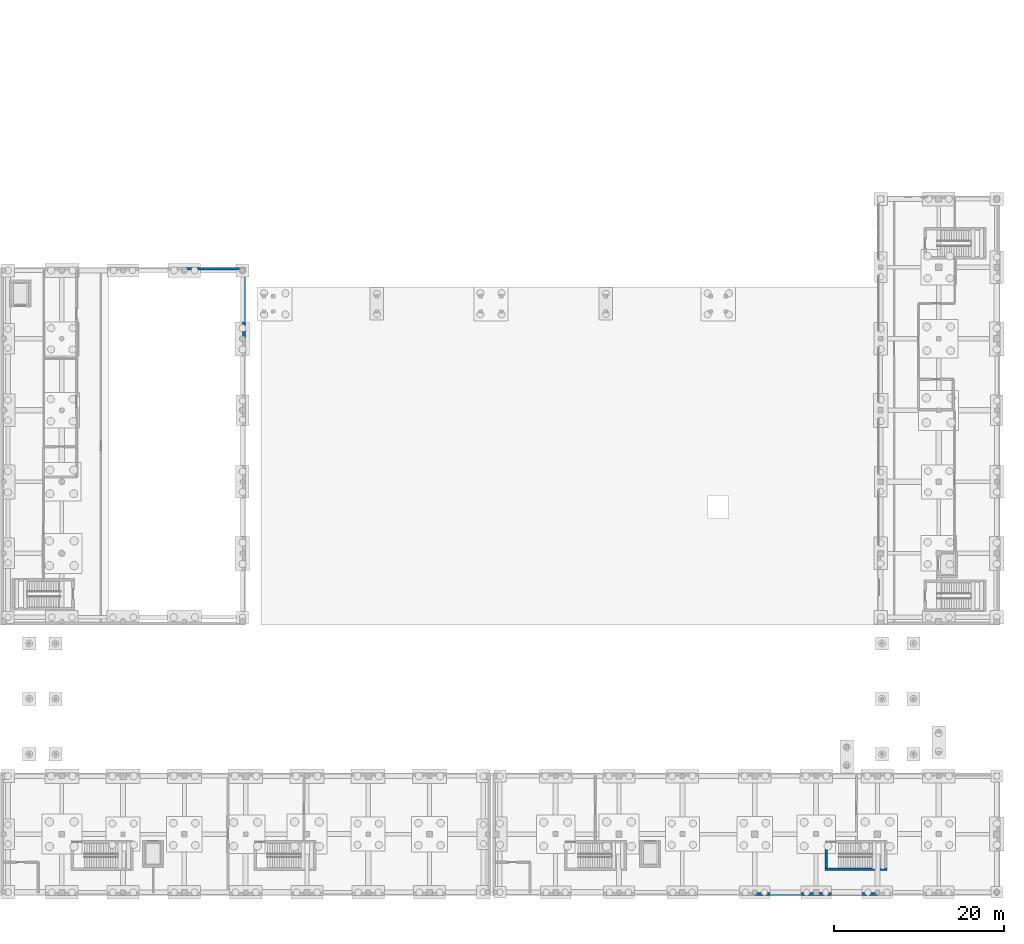
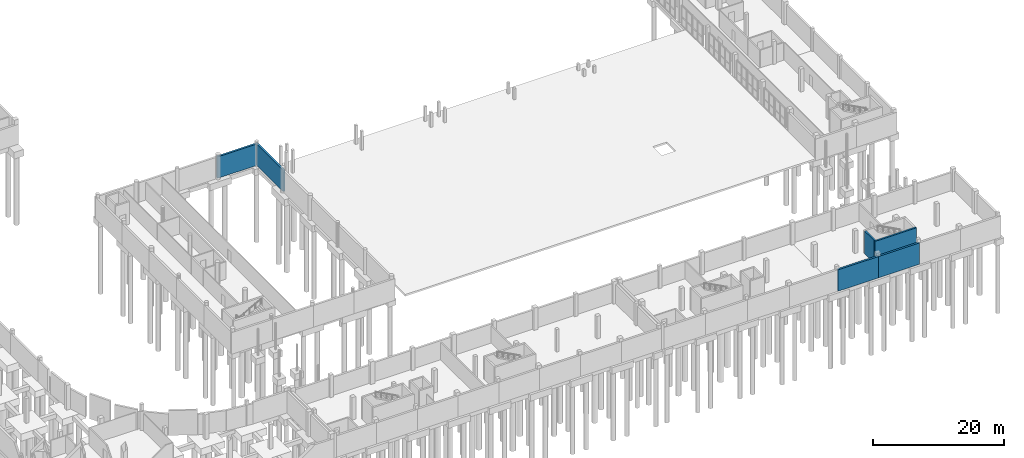
# One storey, part 30 of 41: 6 walls.
"""IFC4 building model written with IfcOpenShell, lengths in metres."""

from ifc_helpers import new_model, si_unit, direction, frame, frame_2d, origin, place, context, subcontext, project, spatial, rectangle, extrude, material, layer, layer_set, type_object, element, save


model = new_model("IFC4")

# Units and contexts
model_context = context("Model", 3, precision=1e-05, world=origin(), true_north=direction((0.0, 1.0)))
body_context = subcontext(model_context, "Body", "Model", "MODEL_VIEW")
ifc_project = project(units=[si_unit("LENGTHUNIT", "METRE"), si_unit("AREAUNIT", "SQUARE_METRE"), si_unit("VOLUMEUNIT", "CUBIC_METRE"), si_unit("PLANEANGLEUNIT", "RADIAN"), si_unit("MASSUNIT", "GRAM", prefix="KILO")], contexts=[model_context])

# Site, building, storey
site_placement = place(None, origin())
site = spatial("IfcSite", under=ifc_project, at=site_placement, CompositionType="ELEMENT")
building_placement = place(site_placement, origin())
building = spatial("IfcBuilding", under=site, at=building_placement, Name="Vardoun Plaza Health Centre", CompositionType="ELEMENT")
storey_placement = place(building_placement, frame((0.0, 0.0, -4.5)))
storey = spatial("IfcBuildingStorey", under=building, at=storey_placement, Name="B1", CompositionType="ELEMENT", Elevation=-4.5)

# Walls
ifc_material_1 = material(Name="Concrete C40/50", Category="concrete")
ifc_layer_1 = layer(ifc_material_1, 0.300048828125)
ifc_layer_set_1 = layer_set([ifc_layer_1], Name="Concrete C40/50")
wall_type_1 = type_object("IfcWallType", Name="SW-01", PredefinedType="SHEAR", material=ifc_layer_set_1)
wall_1_placement = place(storey_placement, frame((152.050048828125, 7.60009765625, 0.0), z_axis=(0.0, 0.0, 1.0), x_axis=(-1.0, 0.0, 0.0)))
element("IfcWall", 1, at=wall_1_placement, inside=storey, type_object=wall_type_1, Name="Core C9 B1 Shear Wall S", PredefinedType="SHEAR", context=body_context, shape_type="SweptSolid", body=[
    extrude(rectangle(XDim=7.300048828125, YDim=0.300048828125, at=frame_2d((3.64990234375, 0.0))), origin(), (0.0, 0.0, 1.0), 4.205078125),
])
wall_2_placement = place(storey_placement, frame((144.89990234375, 7.75, 0.0), z_axis=(0.0, 0.0, 1.0), x_axis=(0.0, 1.0, 0.0)))
element("IfcWall", 2, at=wall_2_placement, inside=storey, type_object=wall_type_1, Name="Core C9 B1 Shear Wall W", PredefinedType="SHEAR", context=body_context, shape_type="SweptSolid", body=[
    extrude(rectangle(XDim=2.89990234375, YDim=0.300048828125, at=frame_2d((1.449951171875, 0.0))), origin(), (0.0, 0.0, 1.0), 4.205078125),
])
ifc_material_2 = material(Name="Pale Limestone Concrete C35/45", Category="masonry")
ifc_layer_2 = layer(ifc_material_2, 0.344970703125)
ifc_layer_set_2 = layer_set([ifc_layer_2], Name="Pale Limestone Concrete C35/45")
wall_type_2 = type_object("IfcWallType", Name="EW-01", PredefinedType="SOLIDWALL", material=ifc_layer_set_2)
wall_3_placement = place(storey_placement, frame((69.47998046875, 78.12744140625, -0.419921875), z_axis=(0.0, 0.0, 1.0), x_axis=(1.0, 0.0, 0.0)))
element("IfcWall", 3, at=wall_3_placement, inside=storey, type_object=wall_type_2, Name="V1 B1 Exterior Wall EW-V1-004", PredefinedType="SOLIDWALL", context=body_context, shape_type="SweptSolid", body=[
    extrude(rectangle(XDim=7.199951171875, YDim=0.344970703125, at=frame_2d((3.60009765625, 0.0))), origin(), (0.0, 0.0, 1.0), 4.0048828125),
])
wall_4_placement = place(storey_placement, frame((76.507568359375, 77.955078125, -0.419921875), z_axis=(0.0, 0.0, 1.0), x_axis=(0.0, -1.0, 0.0)))
element("IfcWall", 4, at=wall_4_placement, inside=storey, type_object=wall_type_2, Name="V1 B1 Exterior Wall EW-V1-005", PredefinedType="SOLIDWALL", context=body_context, shape_type="SweptSolid", body=[
    extrude(rectangle(XDim=8.05517578125, YDim=0.344970703125, at=frame_2d((4.027587890625, 0.0))), origin(), (0.0, 0.0, 1.0), 4.0048828125),
])
for number, where, z_axis, x_axis, name in (
    (5, (150.89990234375, 4.672607421875, -0.419921875), (0.0, 0.0, 1.0), (-1.0, 0.0, 0.0), "V5 B1 Exterior Wall EW-V5-360"),
    (6, (143.699951171875, 4.672607421875, -0.419921875), (0.0, 0.0, 1.0), (-1.0, 0.0, 0.0), "V5 B1 Exterior Wall EW-V5-361"),
):
    element("IfcWall", number, at=place(storey_placement, frame(where, z_axis=z_axis, x_axis=x_axis)), inside=storey, type_object=wall_type_2, Name=name, PredefinedType="SOLIDWALL", context=body_context, shape_type="SweptSolid", body=[
        extrude(rectangle(XDim=7.199951171875, YDim=0.344970703125, at=frame_2d((3.60009765625, 0.0))), origin(), (0.0, 0.0, 1.0), 3.989990234375),
    ])

save(model, "model.ifc")
